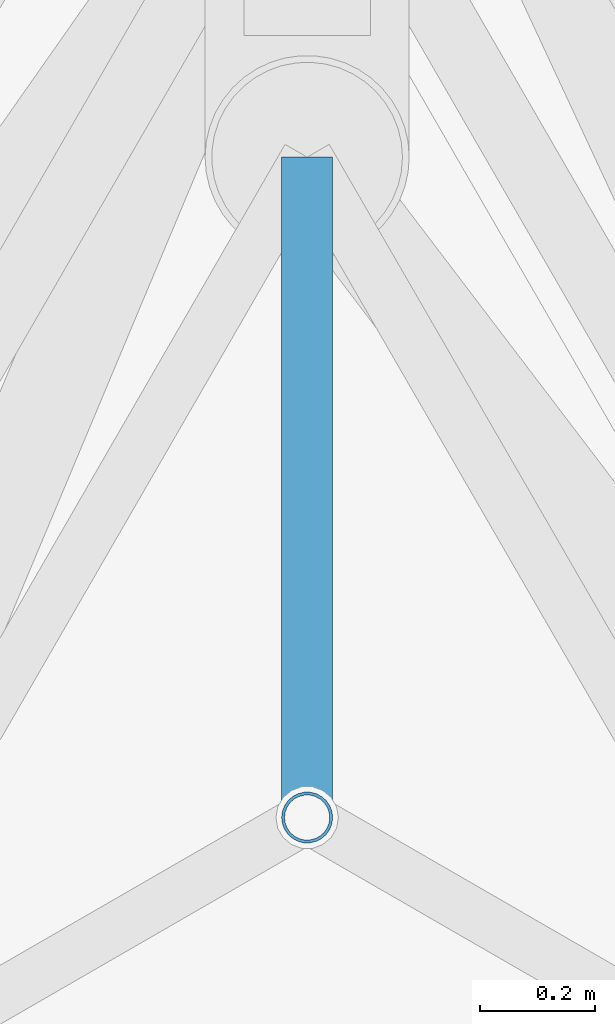
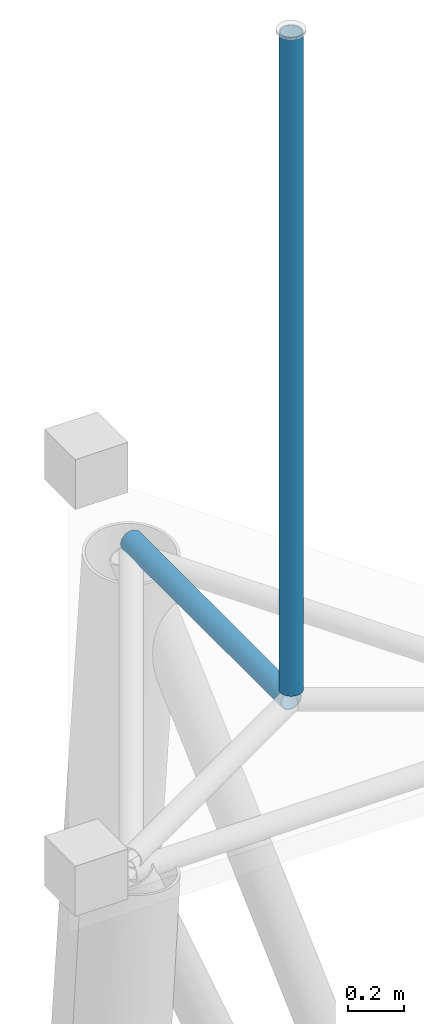
# One storey, part 2 of 7: 2 members.
"""IFC4 building model written with IfcOpenShell, lengths in metres."""

from ifc_helpers import new_model, si_unit, direction, frame, origin, origin_2d, place, context, subcontext, project, spatial, hollow_circle, extrude, material, material_profile, profile_set, type_object, element, save


model = new_model("IFC4")

# Units and contexts
model_context = context("Model", 3, precision=1e-05, world=origin(), true_north=direction((0.0, 1.0)))
body_context = subcontext(model_context, "Body", "Model", "MODEL_VIEW")
ifc_project = project(units=[si_unit("LENGTHUNIT", "METRE"), si_unit("AREAUNIT", "SQUARE_METRE"), si_unit("VOLUMEUNIT", "CUBIC_METRE"), si_unit("PLANEANGLEUNIT", "RADIAN"), si_unit("MASSUNIT", "GRAM", prefix="KILO")], contexts=[model_context])

# Site, building, storey
site_placement = place(None, origin())
site = spatial("IfcSite", under=ifc_project, at=site_placement, CompositionType="ELEMENT")
building_placement = place(site_placement, origin())
building = spatial("IfcBuilding", under=site, at=building_placement, Name="Trine Commons Tower", CompositionType="ELEMENT")
storey_placement = place(building_placement, frame((0.0, 0.0, 314.10009765625)))
storey = spatial("IfcBuildingStorey", under=building, at=storey_placement, Name="ROOF MAST BASE", CompositionType="ELEMENT", Elevation=314.10009765625)

# Members
ifc_material = material(Name="Structural steel ASTM A500 Gr C", Category="steel")
ifc_material_profile_1 = material_profile(ifc_material, hollow_circle(Radius=0.04443359375, WallThickness=0.005126953125, at=origin_2d()), Name="HSS3.500X0.216")
ifc_profile_set_1 = profile_set([ifc_material_profile_1], Name="Structural steel ASTM A500 Gr C")
member_type_1 = type_object("IfcMemberType", Name="Steel post HSS3.500X0.216, ASTM A500 Gr C", PredefinedType="POST", material=ifc_profile_set_1)
member_1_placement = place(storey_placement, frame((80.0, 62.5, 34.599853515625), z_axis=(0.0, 0.0, 1.0), x_axis=(1.0, 0.0, 0.0)))
element("IfcMember", 1, at=member_1_placement, inside=storey, type_object=member_type_1, Name="MAST lightning rod", PredefinedType="POST", context=body_context, shape_type="SweptSolid", body=[
    extrude(hollow_circle(Radius=0.04443359375, WallThickness=0.005126953125, at=origin_2d()), origin(), (0.0, 0.0, 1.0), 2.887939453125),
])
ifc_material_profile_2 = material_profile(ifc_material, hollow_circle(Radius=0.04443359375, WallThickness=0.005126953125, at=origin_2d()), Name="HSS3.500X0.216")
ifc_profile_set_2 = profile_set([ifc_material_profile_2], Name="Structural steel ASTM A500 Gr C")
member_type_2 = type_object("IfcMemberType", Name="Steel strut HSS3.500X0.216, ASTM A500 Gr C", PredefinedType="STRUT", material=ifc_profile_set_2)
member_2_placement = place(storey_placement, frame((80.0, 63.64990234375, 34.555419921875), z_axis=(0.0, -1.0, 0.0), x_axis=(1.0, 0.0, 0.0)))
element("IfcMember", 2, at=member_2_placement, inside=storey, type_object=member_type_2, Name="MAST hub arm A", PredefinedType="STRUT", context=body_context, shape_type="SweptSolid", body=[
    extrude(hollow_circle(Radius=0.04443359375, WallThickness=0.005126953125, at=origin_2d()), origin(), (0.0, 0.0, 1.0), 1.14990234375),
])

save(model, "model.ifc")
